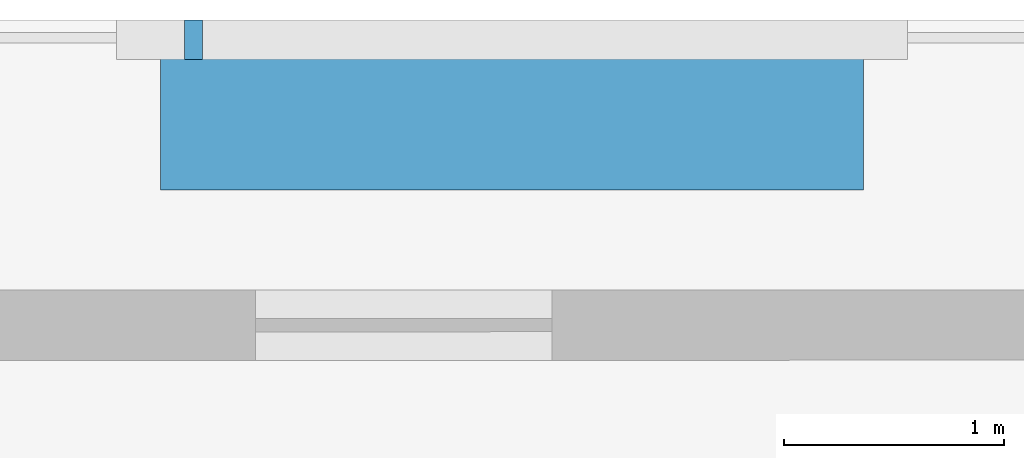
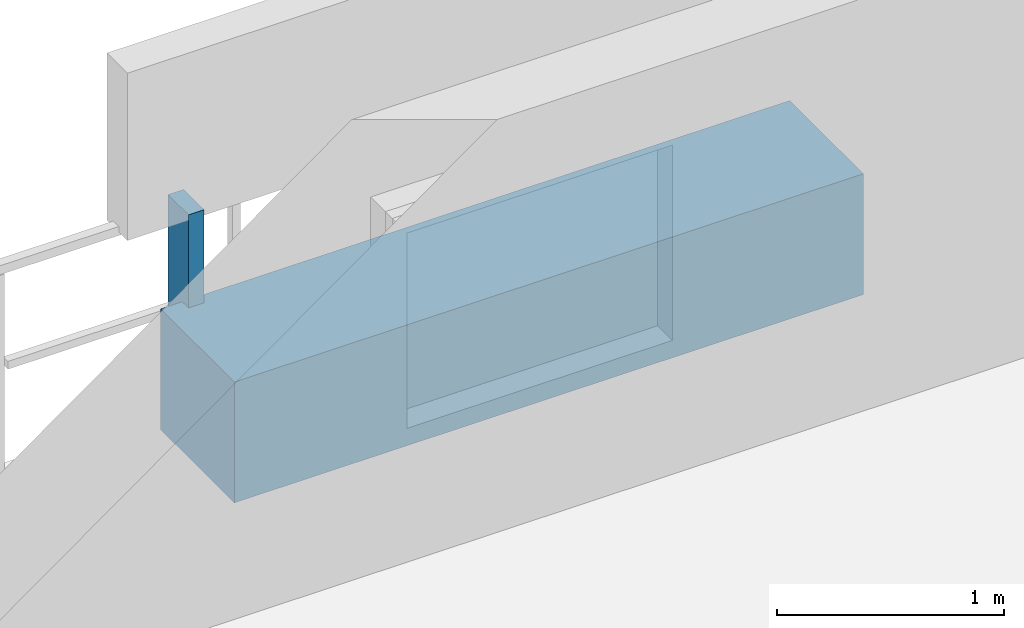
# One storey, part 31 of 36: 2 discrete accessories.
"""IFC4 building model written with IfcOpenShell, lengths in metres."""

import ifcopenshell
import ifcopenshell.guid

model = None  # the IFC model being written
_history = None  # IfcOwnerHistory: only IFC2X3 demands one
_inside = {}  # id of a spatial element -> (the spatial element, [elements in it])
_under = {}  # id of a project, library or spatial element -> (it, [spatial elements below it])
_declared = {}  # id of a project -> (the project, [libraries it declares])
_typed = {}  # id of a type object -> (the type object, [elements of that type])
_made_of = {}  # id of a material, layer set ... -> (it, [elements and type objects made of it])


def new_model(schema):
    """Start an empty IFC model of exactly this schema.

    Asked for "IFC4X3", IfcOpenShell would pick the latest addendum, in which some entities
    have other attributes; the version numbers below select the first issue.
    IFC2X3 requires an IfcOwnerHistory on every rooted entity: one is made here for all.
    """
    global model, _history
    if schema == "IFC4X3":
        model = ifcopenshell.file(schema_version=(4, 3, 0, 0))
    else:
        model = ifcopenshell.file(schema=schema)
    _inside.clear()
    _under.clear()
    _declared.clear()
    _typed.clear()
    _made_of.clear()
    _history = None
    if model.schema == "IFC2X3":
        org = make("IfcOrganization", Name="unknown")
        user = make(
            "IfcPersonAndOrganization",
            ThePerson=make("IfcPerson", FamilyName="unknown"),
            TheOrganization=org,
        )
        app = make(
            "IfcApplication",
            ApplicationDeveloper=org,
            Version="unknown",
            ApplicationFullName="unknown",
            ApplicationIdentifier="unknown",
        )
        _history = make(
            "IfcOwnerHistory",
            OwningUser=user,
            OwningApplication=app,
            ChangeAction="ADDED",
            CreationDate=0,
        )
    return model


def make(cls, **values):
    """One entity of the class cls with the attributes given. An attribute that is None is left unset."""
    return model.create_entity(
        cls, **{name: value for name, value in values.items() if value is not None}
    )


def rooted(cls, **values):
    """An entity with a GlobalId (a new one), such as an element, a storey or a relation."""
    return make(cls, GlobalId=ifcopenshell.guid.new(), OwnerHistory=_history, **values)


def si_unit(unit_type, name, prefix=None):
    """IfcSIUnit, for example si_unit("LENGTHUNIT", "METRE", prefix="MILLI")."""
    return make("IfcSIUnit", UnitType=unit_type, Prefix=prefix, Name=name)


def assignment(units):
    """IfcUnitAssignment: the units of a project."""
    return None if units is None else make("IfcUnitAssignment", Units=units)


def point(xyz):
    """IfcCartesianPoint."""
    return None if xyz is None else make("IfcCartesianPoint", Coordinates=xyz)


def direction(xyz):
    """IfcDirection."""
    return None if xyz is None else make("IfcDirection", DirectionRatios=xyz)


def frame(location, z_axis=None, x_axis=None):
    """IfcAxis2Placement3D, a coordinate frame: its origin and axes. An axis left out is left unset."""
    return make(
        "IfcAxis2Placement3D",
        Location=point(location),
        Axis=direction(z_axis),
        RefDirection=direction(x_axis),
    )


def frame_2d(location, x_axis=None):
    """IfcAxis2Placement2D, a coordinate frame in the plane: its origin and x axis."""
    return make(
        "IfcAxis2Placement2D", Location=point(location), RefDirection=direction(x_axis)
    )


def origin():
    """The frame at (0, 0, 0) with its axes left unset."""
    return frame((0.0, 0.0, 0.0))


def origin_2d():
    """The frame at (0, 0) in the plane with its x axis left unset."""
    return frame_2d((0.0, 0.0))


def place(relative_to, where):
    """IfcLocalPlacement: puts the frame where relative to a parent placement (None: the world)."""
    return make(
        "IfcLocalPlacement", PlacementRelTo=relative_to, RelativePlacement=where
    )


def context(
    kind, dimensions, precision=None, world=None, true_north=None, identifier=None
):
    """IfcGeometricRepresentationContext, for example the 3D "Model" context."""
    return make(
        "IfcGeometricRepresentationContext",
        ContextIdentifier=identifier,
        ContextType=kind,
        CoordinateSpaceDimension=dimensions,
        Precision=precision,
        WorldCoordinateSystem=world,
        TrueNorth=true_north,
    )


def subcontext(parent, identifier, kind, view, scale=None):
    """IfcGeometricRepresentationSubContext, for example "Body" below "Model"."""
    return make(
        "IfcGeometricRepresentationSubContext",
        ContextIdentifier=identifier,
        ContextType=kind,
        ParentContext=parent,
        TargetScale=scale,
        TargetView=view,
    )


def project(units=None, contexts=None):
    """IfcProject with its units and contexts."""
    return rooted(
        "IfcProject",
        Name="project",
        RepresentationContexts=contexts,
        UnitsInContext=assignment(units),
    )


def spatial(cls, under=None, at=None, **own):
    """A site, building, storey or space (cls), placed at a placement, below another one or the project."""
    s = rooted(cls, ObjectPlacement=at, **own)
    if under is not None:
        _under.setdefault(under.id(), (under, []))[1].append(s)
    return s


def profile(cls, at=None, kind="AREA", **sizes):
    """A parametric profile (cls). Its sizes go by their IFC names, for example OverallWidth=200.0."""
    return make(cls, ProfileType=kind, Position=at, **sizes)


def rectangle(**sizes):
    """IfcRectangleProfileDef."""
    return profile("IfcRectangleProfileDef", **sizes)


def extrude(swept, where, along, depth):
    """IfcExtrudedAreaSolid: the profile swept, set in the frame where, extruded along a direction by depth."""
    return make(
        "IfcExtrudedAreaSolid",
        SweptArea=swept,
        Position=where,
        ExtrudedDirection=direction(along),
        Depth=depth,
    )


def shape(context_of_items, identifier, shape_type, items):
    """IfcShapeRepresentation: the items that make up one representation, for example the "Body"."""
    return make(
        "IfcShapeRepresentation",
        ContextOfItems=context_of_items,
        RepresentationIdentifier=identifier,
        RepresentationType=shape_type,
        Items=items,
    )


def material(Name=None, Category=None):
    """IfcMaterial."""
    return make("IfcMaterial", Name=Name, Category=Category)


def made_of(thing, what):
    """Note that an element or type object is made of a material, layer set ...; save() writes the relation."""
    if what is not None:
        _made_of.setdefault(what.id(), (what, []))[1].append(thing)
    return thing


def type_object(cls, material=None, **own):
    """A type object (cls), such as IfcWallType, which elements share."""
    return made_of(rooted(cls, **own), material)


def element(
    cls,
    number,
    at=None,
    inside=None,
    cuts=None,
    type_object=None,
    material=None,
    context=None,
    identifier="Body",
    shape_type=None,
    held_by="IfcProductDefinitionShape",
    body=None,
    shapes=None,
    **own,
):
    """One element of the class cls, such as IfcWall. Its Tag is "e" and its number.

    at: its placement. inside: the storey or other place that contains it. cuts: it is an
    opening in that element (IfcRelVoidsElement). A single representation is given by context,
    identifier, shape_type and body (its items); several are given by shapes. held_by: the class
    of the entity that holds the representations. save() writes the other relations.
    """
    e = rooted(cls, Tag="e%d" % number, ObjectPlacement=at, **own)
    if body is not None:
        shapes = [shape(context, identifier, shape_type, body)]
    if shapes is not None:
        e.Representation = make(held_by, Representations=shapes)
    if inside is not None:
        _inside.setdefault(inside.id(), (inside, []))[1].append(e)
    if cuts is not None:
        rooted(
            "IfcRelVoidsElement", RelatingBuildingElement=cuts, RelatedOpeningElement=e
        )
    if type_object is not None:
        _typed.setdefault(type_object.id(), (type_object, []))[1].append(e)
    return made_of(e, material)


def aggregate(whole, parts):
    """IfcRelAggregates: a whole, such as a stair, and the parts it consists of."""
    return rooted("IfcRelAggregates", RelatingObject=whole, RelatedObjects=parts)


def save(model, path):
    """Write the relations noted so far, then the file.

    IfcRelAggregates (storeys below a building ...), IfcRelContainedInSpatialStructure (elements
    in a storey), IfcRelDefinesByType, IfcRelAssociatesMaterial and IfcRelDeclares: one each for
    every whole, place, type object, material and project.
    """
    for whole, parts in _under.values():
        aggregate(whole, parts)
    for where, things in _inside.values():
        rooted(
            "IfcRelContainedInSpatialStructure",
            RelatedElements=things,
            RelatingStructure=where,
        )
    for kind, things in _typed.values():
        rooted("IfcRelDefinesByType", RelatedObjects=things, RelatingType=kind)
    for what, things in _made_of.values():
        rooted("IfcRelAssociatesMaterial", RelatedObjects=things, RelatingMaterial=what)
    for by, libraries in _declared.values():
        rooted("IfcRelDeclares", RelatingContext=by, RelatedDefinitions=libraries)
    model.write(path)


model = new_model("IFC4")

# Units and contexts
model_context = context("Model", 3, precision=1e-05, world=origin(), true_north=direction((0.0, 1.0)))
body_context = subcontext(model_context, "Body", "Model", "MODEL_VIEW")
ifc_project = project(units=[si_unit("LENGTHUNIT", "METRE"), si_unit("AREAUNIT", "SQUARE_METRE"), si_unit("VOLUMEUNIT", "CUBIC_METRE"), si_unit("PLANEANGLEUNIT", "RADIAN"), si_unit("MASSUNIT", "GRAM", prefix="KILO")], contexts=[model_context])

# Site, building, storey
site_placement = place(None, origin())
site = spatial("IfcSite", under=ifc_project, at=site_placement, CompositionType="ELEMENT")
building_placement = place(site_placement, origin())
building = spatial("IfcBuilding", under=site, at=building_placement, Name="Thornwick Lancets Civic Towers", CompositionType="ELEMENT")
storey_placement = place(building_placement, frame((0.0, 0.0, 196.5)))
storey = spatial("IfcBuildingStorey", under=building, at=storey_placement, Name="L52", CompositionType="ELEMENT", Elevation=196.5)

# Discrete accessories
ifc_material_1 = material(Name="Planted terracotta greenery planter", Category="masonry")
discrete_accessory_type_1 = type_object("IfcDiscreteAccessoryType", Name="ACC_PLANTER_BOX", PredefinedType="USERDEFINED", material=ifc_material_1)
discrete_accessory_1_placement = place(storey_placement, frame((25.5, 51.699951171875, 0.0), z_axis=(0.0, 0.0, 1.0), x_axis=(1.0, 0.0, 0.0)))
element("IfcDiscreteAccessory", 1, at=discrete_accessory_1_placement, inside=storey, type_object=discrete_accessory_type_1, Name="L52 Tower A Balcony Greenery Planter N", ObjectType="PLANTER", PredefinedType="USERDEFINED", context=body_context, shape_type="SweptSolid", body=[
    extrude(rectangle(XDim=3.199951171875, YDim=0.64990234375, at=origin_2d()), origin(), (0.0, 0.0, 1.0), 0.64990234375),
])
ifc_material_2 = material(Name="Stainless steel S355", Category="steel")
discrete_accessory_type_2 = type_object("IfcDiscreteAccessoryType", Name="ACC_SCREEN_BRACKET", PredefinedType="BRACKET", material=ifc_material_2)
discrete_accessory_2_placement = place(storey_placement, frame((24.050048828125, 52.06005859375, 0.0), z_axis=(0.0, 0.0, 1.0), x_axis=(1.0, 0.0, 0.0)))
element("IfcDiscreteAccessory", 2, at=discrete_accessory_2_placement, inside=storey, type_object=discrete_accessory_type_2, Name="L52 Tower A Balcony Screen Stanchion Bracket N-1", PredefinedType="BRACKET", context=body_context, shape_type="SweptSolid", body=[
    extrude(rectangle(XDim=0.080078125, YDim=0.179931640625, at=origin_2d()), origin(), (0.0, 0.0, 1.0), 1.14990234375),
])

save(model, "model.ifc")
